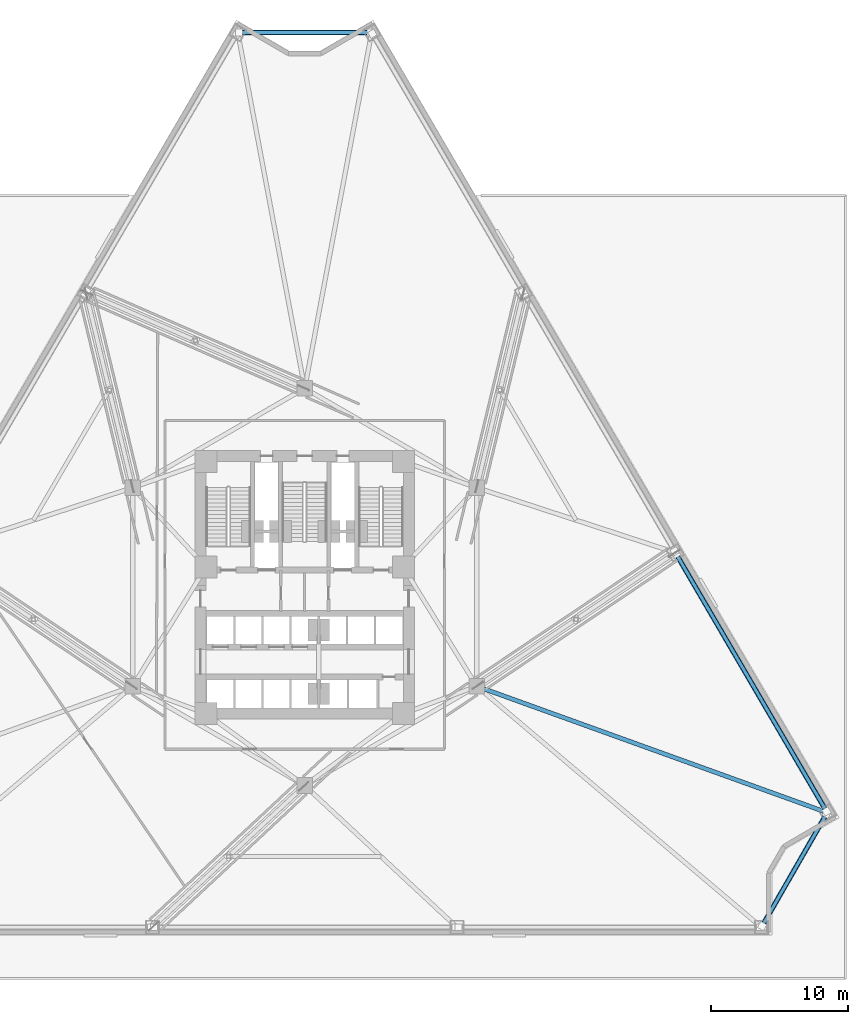
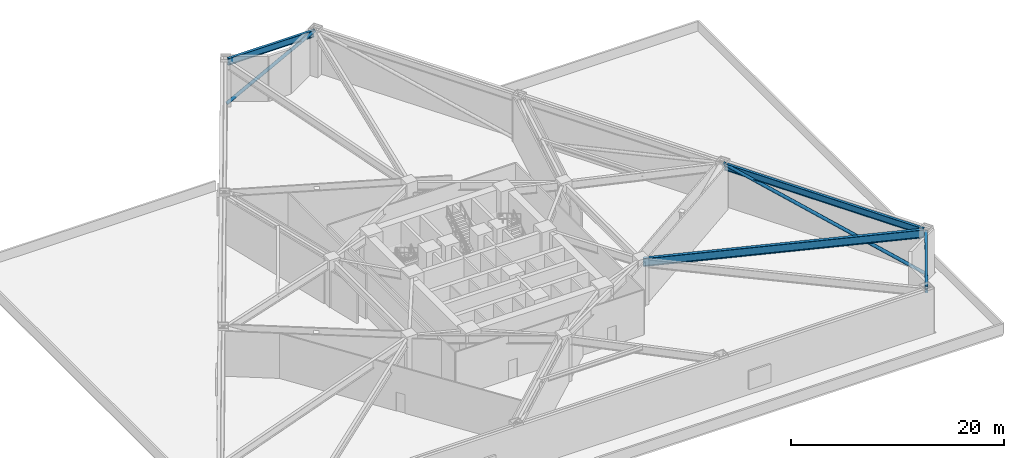
# One storey, part 7 of 23: 4 beams, 3 members.
"""IFC4 building model written with IfcOpenShell, lengths in metres."""

from ifc_helpers import new_model, si_unit, direction, frame, origin, origin_2d, place, context, subcontext, project, spatial, hollow_circle, i_section, extrude, material, material_profile, profile_set, type_object, element, save


model = new_model("IFC4")

# Units and contexts
model_context = context("Model", 3, precision=1e-05, world=origin(), true_north=direction((0.0, 1.0)))
body_context = subcontext(model_context, "Body", "Model", "MODEL_VIEW")
ifc_project = project(units=[si_unit("LENGTHUNIT", "METRE"), si_unit("AREAUNIT", "SQUARE_METRE"), si_unit("VOLUMEUNIT", "CUBIC_METRE"), si_unit("PLANEANGLEUNIT", "RADIAN"), si_unit("MASSUNIT", "GRAM", prefix="KILO")], contexts=[model_context])

# Site, building, storey
site_placement = place(None, origin())
site = spatial("IfcSite", under=ifc_project, at=site_placement, CompositionType="ELEMENT")
building_placement = place(site_placement, origin())
building = spatial("IfcBuilding", under=site, at=building_placement, Name="Apsidion Concourse Tower", CompositionType="ELEMENT")
storey_placement = place(building_placement, frame((0.0, 0.0, 29.0)))
storey = spatial("IfcBuildingStorey", under=building, at=storey_placement, Name="L05", CompositionType="ELEMENT", Elevation=29.0)

# Beams
ifc_material_1 = material(Name="Structural steel ASTM A992 Grade 50", Category="steel")
ifc_material_profile_1 = material_profile(ifc_material_1, i_section(OverallWidth=0.31005859375, OverallDepth=0.931884765625, WebThickness=0.02099609375, FlangeThickness=0.034423828125, at=origin_2d()), Name="W36X210")
ifc_profile_set_1 = profile_set([ifc_material_profile_1], Name="Structural steel ASTM A992 Grade 50")
beam_type_1 = type_object("IfcBeamType", Name="BM-G-W36", PredefinedType="USERDEFINED", material=ifc_profile_set_1)
beam_1_placement = place(storey_placement, frame((12.76708984375, -7.32470703125, 4.68408203125), z_axis=(0.940684701446, -0.339282024968, 0.0), x_axis=(0.339282024968, 0.940684701446, 0.0)))
element("IfcBeam", 1, at=beam_1_placement, inside=storey, type_object=beam_type_1, Name="L05 Radial Floor Girder RAD-09", ObjectType="GIRDER", PredefinedType="USERDEFINED", context=body_context, shape_type="SweptSolid", body=[
    extrude(i_section(OverallWidth=0.31005859375, OverallDepth=0.931884765625, WebThickness=0.02099609375, FlangeThickness=0.034423828125, at=origin_2d()), origin(), (0.0, 0.0, 1.0), 26.767578125),
])
ifc_material_profile_2 = material_profile(ifc_material_1, i_section(OverallWidth=0.26806640625, OverallDepth=0.77001953125, WebThickness=0.015625, FlangeThickness=0.025390625, at=origin_2d()), Name="W30X132")
ifc_profile_set_2 = profile_set([ifc_material_profile_2], Name="Structural steel ASTM A992 Grade 50")
beam_type_2 = type_object("IfcBeamType", Name="BM-SP-W30", PredefinedType="SPANDREL", material=ifc_profile_set_2)
beam_2_placement = place(storey_placement, frame((33.45947265625, -24.6591796875, 4.764892578125), z_axis=(0.497839457155, 0.867269205553, 0.0), x_axis=(-0.867269205553, 0.497839457155, 0.0)))
element("IfcBeam", 2, at=beam_2_placement, inside=storey, type_object=beam_type_2, Name="L05 Perimeter Spandrel Girder SP-08", PredefinedType="SPANDREL", context=body_context, shape_type="SweptSolid", body=[
    extrude(i_section(OverallWidth=0.26806640625, OverallDepth=0.77001953125, WebThickness=0.015625, FlangeThickness=0.025390625, at=origin_2d()), origin(), (0.0, 0.0, 1.0), 9.209716796875),
])
beam_3_placement = place(storey_placement, frame((38.043212890625, -16.291015625, 4.764892578125), z_axis=(-0.504316170532, 0.863519079198, 0.0), x_axis=(-0.863519079198, -0.504316170532, 0.0)))
element("IfcBeam", 3, at=beam_3_placement, inside=storey, type_object=beam_type_2, Name="L05 Perimeter Spandrel Girder SP-09", PredefinedType="SPANDREL", context=body_context, shape_type="SweptSolid", body=[
    extrude(i_section(OverallWidth=0.26806640625, OverallDepth=0.77001953125, WebThickness=0.015625, FlangeThickness=0.025390625, at=origin_2d()), origin(), (0.0, 0.0, 1.0), 21.54833984375),
])
beam_4_placement = place(storey_placement, frame((4.66748046875, 40.481201171875, 4.764892578125), z_axis=(-1.0, 0.0, 0.0), x_axis=(0.0, -1.0, 0.0)))
element("IfcBeam", 4, at=beam_4_placement, inside=storey, type_object=beam_type_2, Name="L05 Perimeter Spandrel Girder SP-12", PredefinedType="SPANDREL", context=body_context, shape_type="SweptSolid", body=[
    extrude(i_section(OverallWidth=0.26806640625, OverallDepth=0.77001953125, WebThickness=0.015625, FlangeThickness=0.025390625, at=origin_2d()), origin(), (0.0, 0.0, 1.0), 9.3349609375),
])

# Members
ifc_material_2 = material(Name="Structural steel ASTM A500 Grade C", Category="steel")
ifc_material_profile_3 = material_profile(ifc_material_2, hollow_circle(Radius=0.177978515625, WallThickness=0.02001953125, at=origin_2d()), Name="CHS356X20")
ifc_profile_set_3 = profile_set([ifc_material_profile_3], Name="Structural steel ASTM A500 Grade C")
member_type = type_object("IfcMemberType", Name="MB-BR-CHS356", PredefinedType="BRACE", material=ifc_profile_set_3)
member_1_placement = place(storey_placement, frame((38.104248046875, -16.56787109375, 0.0), z_axis=(-0.439070180611, -0.764892201087, 0.471335652391), x_axis=(0.867270036146, -0.497838010203, 0.0)))
element("IfcMember", 5, at=member_1_placement, inside=storey, type_object=member_type, Name="L05 Perimeter Belt-Truss Diagonal BT-08", PredefinedType="BRACE", context=body_context, shape_type="SweptSolid", body=[
    extrude(hollow_circle(Radius=0.177978515625, WallThickness=0.02001953125, at=origin_2d()), origin(), (0.0, 0.0, 1.0), 10.71435546875),
])
member_2_placement = place(storey_placement, frame((38.103515625, -16.394775390625, 0.0), z_axis=(-0.491285607272, 0.841223039182, 0.225792494199), x_axis=(-0.863523161878, -0.504309179869, 0.0)))
element("IfcMember", 6, at=member_2_placement, inside=storey, type_object=member_type, Name="L05 Perimeter Belt-Truss Diagonal BT-09", PredefinedType="BRACE", context=body_context, shape_type="SweptSolid", body=[
    extrude(hollow_circle(Radius=0.177978515625, WallThickness=0.02001953125, at=origin_2d()), origin(), (0.0, 0.0, 1.0), 22.365966796875),
])
member_3_placement = place(storey_placement, frame((-4.78759765625, 40.481201171875, 0.0), z_axis=(0.884519188839, 0.0, 0.46650380982), x_axis=(0.0, 1.0, 0.0)))
element("IfcMember", 7, at=member_3_placement, inside=storey, type_object=member_type, Name="L05 Perimeter Belt-Truss Diagonal BT-12", PredefinedType="BRACE", context=body_context, shape_type="SweptSolid", body=[
    extrude(hollow_circle(Radius=0.177978515625, WallThickness=0.02001953125, at=origin_2d()), origin(), (0.0, 0.0, 1.0), 10.8251953125),
])

save(model, "model.ifc")
